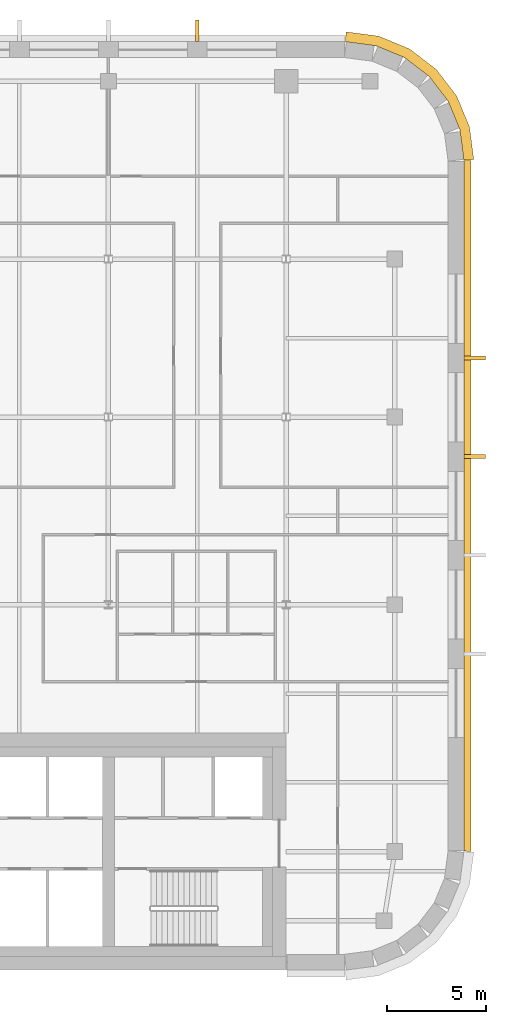
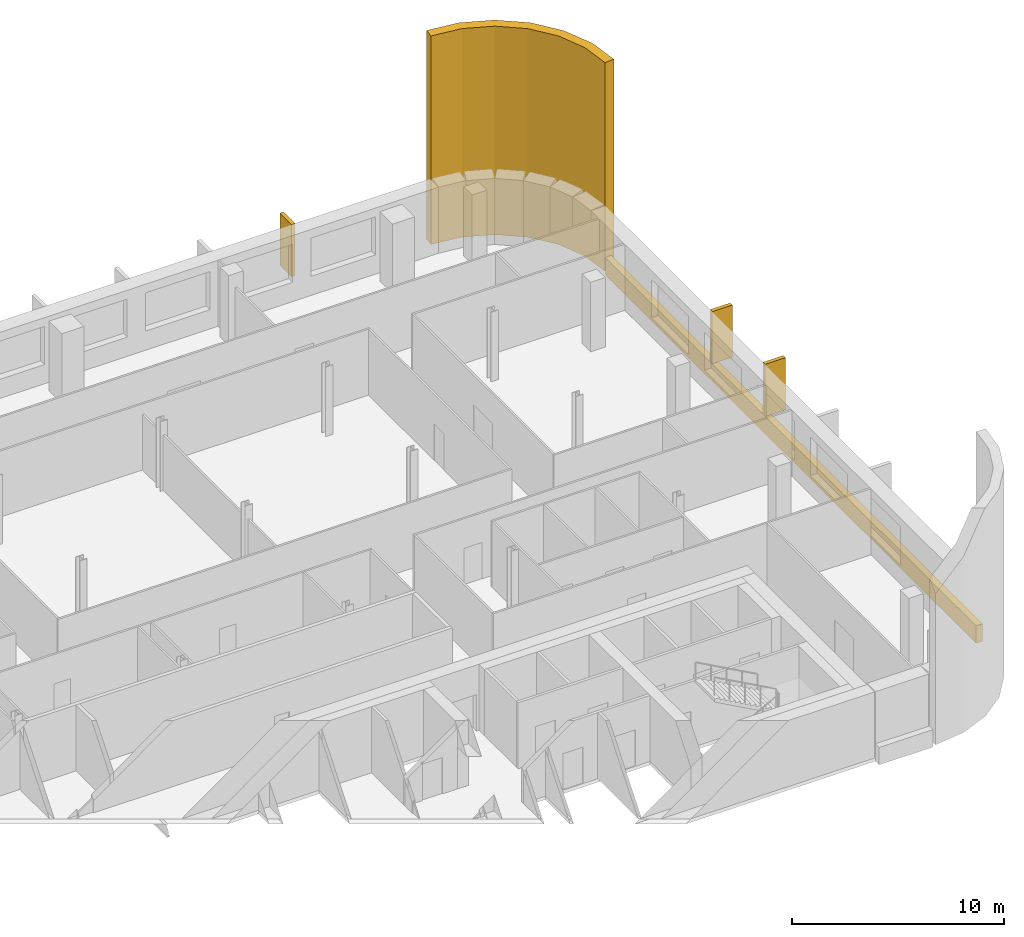
# One storey, part 17 of 17: 5 coverings.
"""IFC4 building model written with IfcOpenShell, lengths in metres."""

from ifc_helpers import new_model, si_unit, direction, frame, origin, place, context, subcontext, project, spatial, polyline, outline, extrude, material, layer, layer_set, type_object, element, save


model = new_model("IFC4")

# Units and contexts
model_context = context("Model", 3, precision=1e-05, world=origin(), true_north=direction((0.0, 1.0)))
body_context = subcontext(model_context, "Body", "Model", "MODEL_VIEW")
ifc_project = project(units=[si_unit("LENGTHUNIT", "METRE"), si_unit("AREAUNIT", "SQUARE_METRE"), si_unit("VOLUMEUNIT", "CUBIC_METRE"), si_unit("PLANEANGLEUNIT", "RADIAN"), si_unit("MASSUNIT", "GRAM", prefix="KILO")], contexts=[model_context])

# Site, building, storey
site_placement = place(None, origin())
site = spatial("IfcSite", under=ifc_project, at=site_placement, CompositionType="ELEMENT")
building_placement = place(site_placement, origin())
building = spatial("IfcBuilding", under=site, at=building_placement, Name="Zellij Exchange Tower", CompositionType="ELEMENT")
storey_placement = place(building_placement, frame((0.0, 0.0, 232.5)))
storey = spatial("IfcBuildingStorey", under=building, at=storey_placement, Name="L54", CompositionType="ELEMENT", Elevation=232.5)

# Coverings
ifc_material = material(Name="Limestone cladding", Category="masonry")
ifc_layer_1 = layer(ifc_material, 0.35009765625)
ifc_layer_set_1 = layer_set([ifc_layer_1], Name="Limestone cladding")
covering_type_1 = type_object("IfcCoveringType", Name="ENV-CV10 Stone spandrel band 350", PredefinedType="CLADDING", material=ifc_layer_set_1)
covering_1_placement = place(storey_placement, frame((0.0, 0.0, -0.199951171875)))
element("IfcCovering", 1, at=covering_1_placement, inside=storey, type_object=covering_type_1, Name="Stone spandrel band", PredefinedType="CLADDING", context=body_context, shape_type="SweptSolid", body=[
    extrude(outline(polyline([(36.0, -7.973876953125), (36.0, 26.973876953125), (36.35009765625, 26.99658203125), (36.35009765625, -7.99658203125), (36.0, -7.973876953125)])), origin(), (0.0, 0.0, 1.0), 1.0),
])
ifc_layer_2 = layer(ifc_material, 0.5)
ifc_layer_set_2 = layer_set([ifc_layer_2], Name="Limestone cladding")
covering_type_2 = type_object("IfcCoveringType", Name="ENV-CV12 Stone corner pier 500", PredefinedType="CLADDING", material=ifc_layer_set_2)
covering_2_placement = place(storey_placement, origin())
element("IfcCovering", 2, at=covering_2_placement, inside=storey, type_object=covering_type_2, Name="Stone corner pier", PredefinedType="CLADDING", context=body_context, shape_type="SweptSolid", body=[
    extrude(outline(polyline([(36.0, 27.0), (35.795654296875, 28.552978515625), (35.1962890625, 30.0), (34.24267578125, 31.24267578125), (33.0, 32.1962890625), (31.552978515625, 32.795654296875), (30.0, 33.0), (30.03271484375, 33.5), (31.683349609375, 33.28271484375), (33.252197265625, 32.6328125), (34.59912109375, 31.59912109375), (35.6328125, 30.252197265625), (36.28271484375, 28.683349609375), (36.5, 27.03271484375), (36.0, 27.0)])), origin(), (0.0, 0.0, 1.0), 12.0),
])
covering_type_3 = type_object("IfcCoveringType", Name="ENV-CV6 Stone pier 200x1100", PredefinedType="CLADDING", material=ifc_material)
covering_3_placement = place(storey_placement, frame((0.0, 0.0, 0.800048828125)))
element("IfcCovering", 3, at=covering_3_placement, inside=storey, type_object=covering_type_3, Name="Stone pier", PredefinedType="CLADDING", context=body_context, shape_type="SweptSolid", body=[
    extrude(outline(polyline([(36.0, 11.896240234375), (36.0, 12.09619140625), (37.10009765625, 12.09619140625), (37.10009765625, 11.896240234375), (36.0, 11.896240234375)])), origin(), (0.0, 0.0, 1.0), 3.0),
])
covering_4_placement = place(storey_placement, frame((0.0, 0.0, 0.800048828125)))
element("IfcCovering", 4, at=covering_4_placement, inside=storey, type_object=covering_type_3, Name="Stone pier", PredefinedType="CLADDING", context=body_context, shape_type="SweptSolid", body=[
    extrude(outline(polyline([(36.0, 16.888916015625), (36.0, 17.0888671875), (37.10009765625, 17.0888671875), (37.10009765625, 16.888916015625), (36.0, 16.888916015625)])), origin(), (0.0, 0.0, 1.0), 3.0),
])
covering_5_placement = place(storey_placement, frame((0.0, 0.0, 0.800048828125)))
element("IfcCovering", 5, at=covering_5_placement, inside=storey, type_object=covering_type_3, Name="Stone pier", PredefinedType="CLADDING", context=body_context, shape_type="SweptSolid", body=[
    extrude(outline(polyline([(22.60009765625, 33.0), (22.39990234375, 33.0), (22.39990234375, 34.10009765625), (22.60009765625, 34.10009765625), (22.60009765625, 33.0)])), origin(), (0.0, 0.0, 1.0), 3.0),
])

save(model, "model.ifc")
